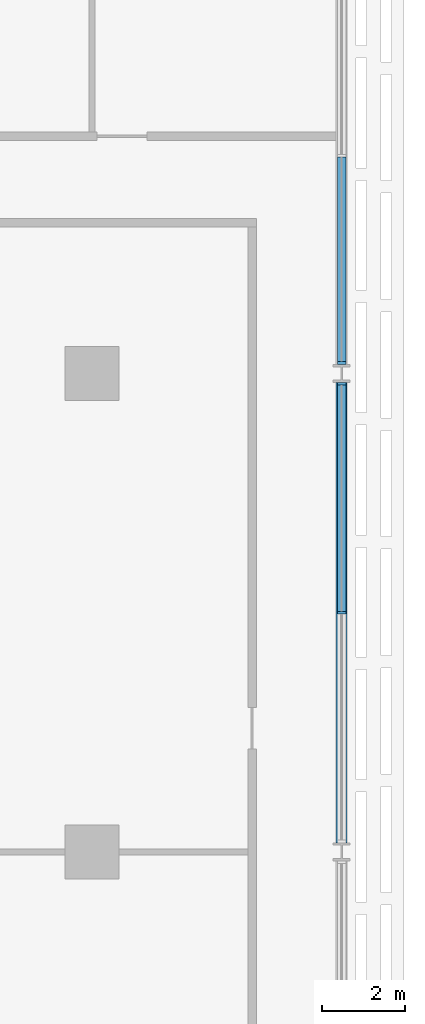
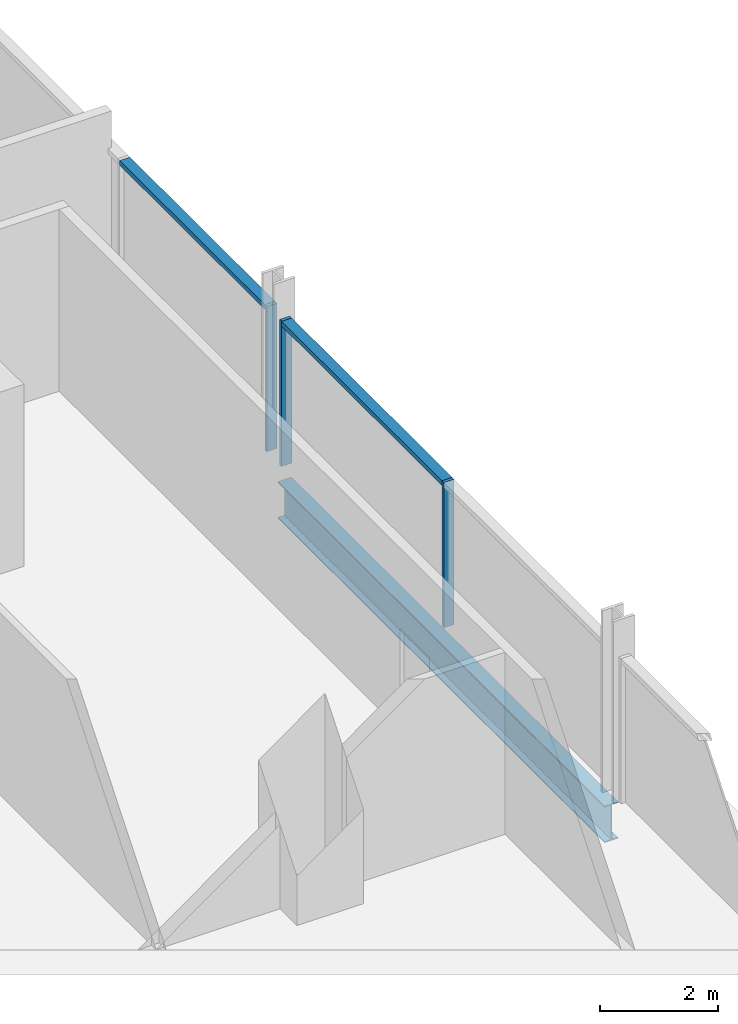
# One storey, part 9 of 29: 5 members, 1 beam, 2 elements without a shape of their own.
"""IFC4 building model written with IfcOpenShell, lengths in metres."""

import ifcopenshell
import ifcopenshell.guid

model = None  # the IFC model being written
_history = None  # IfcOwnerHistory: only IFC2X3 demands one
_inside = {}  # id of a spatial element -> (the spatial element, [elements in it])
_under = {}  # id of a project, library or spatial element -> (it, [spatial elements below it])
_declared = {}  # id of a project -> (the project, [libraries it declares])
_typed = {}  # id of a type object -> (the type object, [elements of that type])
_made_of = {}  # id of a material, layer set ... -> (it, [elements and type objects made of it])


def new_model(schema):
    """Start an empty IFC model of exactly this schema.

    Asked for "IFC4X3", IfcOpenShell would pick the latest addendum, in which some entities
    have other attributes; the version numbers below select the first issue.
    IFC2X3 requires an IfcOwnerHistory on every rooted entity: one is made here for all.
    """
    global model, _history
    if schema == "IFC4X3":
        model = ifcopenshell.file(schema_version=(4, 3, 0, 0))
    else:
        model = ifcopenshell.file(schema=schema)
    _inside.clear()
    _under.clear()
    _declared.clear()
    _typed.clear()
    _made_of.clear()
    _history = None
    if model.schema == "IFC2X3":
        org = make("IfcOrganization", Name="unknown")
        user = make(
            "IfcPersonAndOrganization",
            ThePerson=make("IfcPerson", FamilyName="unknown"),
            TheOrganization=org,
        )
        app = make(
            "IfcApplication",
            ApplicationDeveloper=org,
            Version="unknown",
            ApplicationFullName="unknown",
            ApplicationIdentifier="unknown",
        )
        _history = make(
            "IfcOwnerHistory",
            OwningUser=user,
            OwningApplication=app,
            ChangeAction="ADDED",
            CreationDate=0,
        )
    return model


def make(cls, **values):
    """One entity of the class cls with the attributes given. An attribute that is None is left unset."""
    return model.create_entity(
        cls, **{name: value for name, value in values.items() if value is not None}
    )


def rooted(cls, **values):
    """An entity with a GlobalId (a new one), such as an element, a storey or a relation."""
    return make(cls, GlobalId=ifcopenshell.guid.new(), OwnerHistory=_history, **values)


def si_unit(unit_type, name, prefix=None):
    """IfcSIUnit, for example si_unit("LENGTHUNIT", "METRE", prefix="MILLI")."""
    return make("IfcSIUnit", UnitType=unit_type, Prefix=prefix, Name=name)


def assignment(units):
    """IfcUnitAssignment: the units of a project."""
    return None if units is None else make("IfcUnitAssignment", Units=units)


def point(xyz):
    """IfcCartesianPoint."""
    return None if xyz is None else make("IfcCartesianPoint", Coordinates=xyz)


def direction(xyz):
    """IfcDirection."""
    return None if xyz is None else make("IfcDirection", DirectionRatios=xyz)


def frame(location, z_axis=None, x_axis=None):
    """IfcAxis2Placement3D, a coordinate frame: its origin and axes. An axis left out is left unset."""
    return make(
        "IfcAxis2Placement3D",
        Location=point(location),
        Axis=direction(z_axis),
        RefDirection=direction(x_axis),
    )


def frame_2d(location, x_axis=None):
    """IfcAxis2Placement2D, a coordinate frame in the plane: its origin and x axis."""
    return make(
        "IfcAxis2Placement2D", Location=point(location), RefDirection=direction(x_axis)
    )


def origin():
    """The frame at (0, 0, 0) with its axes left unset."""
    return frame((0.0, 0.0, 0.0))


def origin_2d():
    """The frame at (0, 0) in the plane with its x axis left unset."""
    return frame_2d((0.0, 0.0))


def place(relative_to, where):
    """IfcLocalPlacement: puts the frame where relative to a parent placement (None: the world)."""
    return make(
        "IfcLocalPlacement", PlacementRelTo=relative_to, RelativePlacement=where
    )


def context(
    kind, dimensions, precision=None, world=None, true_north=None, identifier=None
):
    """IfcGeometricRepresentationContext, for example the 3D "Model" context."""
    return make(
        "IfcGeometricRepresentationContext",
        ContextIdentifier=identifier,
        ContextType=kind,
        CoordinateSpaceDimension=dimensions,
        Precision=precision,
        WorldCoordinateSystem=world,
        TrueNorth=true_north,
    )


def subcontext(parent, identifier, kind, view, scale=None):
    """IfcGeometricRepresentationSubContext, for example "Body" below "Model"."""
    return make(
        "IfcGeometricRepresentationSubContext",
        ContextIdentifier=identifier,
        ContextType=kind,
        ParentContext=parent,
        TargetScale=scale,
        TargetView=view,
    )


def project(units=None, contexts=None):
    """IfcProject with its units and contexts."""
    return rooted(
        "IfcProject",
        Name="project",
        RepresentationContexts=contexts,
        UnitsInContext=assignment(units),
    )


def spatial(cls, under=None, at=None, **own):
    """A site, building, storey or space (cls), placed at a placement, below another one or the project."""
    s = rooted(cls, ObjectPlacement=at, **own)
    if under is not None:
        _under.setdefault(under.id(), (under, []))[1].append(s)
    return s


def profile(cls, at=None, kind="AREA", **sizes):
    """A parametric profile (cls). Its sizes go by their IFC names, for example OverallWidth=200.0."""
    return make(cls, ProfileType=kind, Position=at, **sizes)


def rectangle(**sizes):
    """IfcRectangleProfileDef."""
    return profile("IfcRectangleProfileDef", **sizes)


def i_section(**sizes):
    """IfcIShapeProfileDef."""
    return profile("IfcIShapeProfileDef", **sizes)


def extrude(swept, where, along, depth):
    """IfcExtrudedAreaSolid: the profile swept, set in the frame where, extruded along a direction by depth."""
    return make(
        "IfcExtrudedAreaSolid",
        SweptArea=swept,
        Position=where,
        ExtrudedDirection=direction(along),
        Depth=depth,
    )


def shape(context_of_items, identifier, shape_type, items):
    """IfcShapeRepresentation: the items that make up one representation, for example the "Body"."""
    return make(
        "IfcShapeRepresentation",
        ContextOfItems=context_of_items,
        RepresentationIdentifier=identifier,
        RepresentationType=shape_type,
        Items=items,
    )


def material(Name=None, Category=None):
    """IfcMaterial."""
    return make("IfcMaterial", Name=Name, Category=Category)


def material_profile(
    of_material, cross_section, Name=None, Category=None, Priority=None
):
    """IfcMaterialProfile: a cross section and its material."""
    return make(
        "IfcMaterialProfile",
        Name=Name,
        Material=of_material,
        Profile=cross_section,
        Priority=Priority,
        Category=Category,
    )


def profile_set(profiles, Name=None, composite=None):
    """IfcMaterialProfileSet."""
    return make(
        "IfcMaterialProfileSet",
        Name=Name,
        MaterialProfiles=profiles,
        CompositeProfile=composite,
    )


def made_of(thing, what):
    """Note that an element or type object is made of a material, layer set ...; save() writes the relation."""
    if what is not None:
        _made_of.setdefault(what.id(), (what, []))[1].append(thing)
    return thing


def type_object(cls, material=None, **own):
    """A type object (cls), such as IfcWallType, which elements share."""
    return made_of(rooted(cls, **own), material)


def element(
    cls,
    number,
    at=None,
    inside=None,
    cuts=None,
    type_object=None,
    material=None,
    context=None,
    identifier="Body",
    shape_type=None,
    held_by="IfcProductDefinitionShape",
    body=None,
    shapes=None,
    **own,
):
    """One element of the class cls, such as IfcWall. Its Tag is "e" and its number.

    at: its placement. inside: the storey or other place that contains it. cuts: it is an
    opening in that element (IfcRelVoidsElement). A single representation is given by context,
    identifier, shape_type and body (its items); several are given by shapes. held_by: the class
    of the entity that holds the representations. save() writes the other relations.
    """
    e = rooted(cls, Tag="e%d" % number, ObjectPlacement=at, **own)
    if body is not None:
        shapes = [shape(context, identifier, shape_type, body)]
    if shapes is not None:
        e.Representation = make(held_by, Representations=shapes)
    if inside is not None:
        _inside.setdefault(inside.id(), (inside, []))[1].append(e)
    if cuts is not None:
        rooted(
            "IfcRelVoidsElement", RelatingBuildingElement=cuts, RelatedOpeningElement=e
        )
    if type_object is not None:
        _typed.setdefault(type_object.id(), (type_object, []))[1].append(e)
    return made_of(e, material)


def aggregate(whole, parts):
    """IfcRelAggregates: a whole, such as a stair, and the parts it consists of."""
    return rooted("IfcRelAggregates", RelatingObject=whole, RelatedObjects=parts)


def save(model, path):
    """Write the relations noted so far, then the file.

    IfcRelAggregates (storeys below a building ...), IfcRelContainedInSpatialStructure (elements
    in a storey), IfcRelDefinesByType, IfcRelAssociatesMaterial and IfcRelDeclares: one each for
    every whole, place, type object, material and project.
    """
    for whole, parts in _under.values():
        aggregate(whole, parts)
    for where, things in _inside.values():
        rooted(
            "IfcRelContainedInSpatialStructure",
            RelatedElements=things,
            RelatingStructure=where,
        )
    for kind, things in _typed.values():
        rooted("IfcRelDefinesByType", RelatedObjects=things, RelatingType=kind)
    for what, things in _made_of.values():
        rooted("IfcRelAssociatesMaterial", RelatedObjects=things, RelatingMaterial=what)
    for by, libraries in _declared.values():
        rooted("IfcRelDeclares", RelatingContext=by, RelatedDefinitions=libraries)
    model.write(path)


model = new_model("IFC4")

# Units and contexts
model_context = context("Model", 3, precision=1e-05, world=origin(), true_north=direction((0.0, 1.0)))
body_context = subcontext(model_context, "Body", "Model", "MODEL_VIEW")
ifc_project = project(units=[si_unit("LENGTHUNIT", "METRE"), si_unit("AREAUNIT", "SQUARE_METRE"), si_unit("VOLUMEUNIT", "CUBIC_METRE"), si_unit("PLANEANGLEUNIT", "RADIAN"), si_unit("MASSUNIT", "GRAM", prefix="KILO")], contexts=[model_context])

# Site, building, storey
site_placement = place(None, origin())
site = spatial("IfcSite", under=ifc_project, at=site_placement, CompositionType="ELEMENT")
building_placement = place(site_placement, origin())
building = spatial("IfcBuilding", under=site, at=building_placement, Name="Mahtab Terrace Research Tower", CompositionType="ELEMENT")
storey_placement = place(building_placement, frame((0.0, 0.0, 126.10009765625)))
storey = spatial("IfcBuildingStorey", under=building, at=storey_placement, Name="L29", CompositionType="ELEMENT", Elevation=126.10009765625)

# Curtain wall, members
ifc_material_1 = material(Name="Laboratory ribbon curtain wall")
curtain_wall_type = type_object("IfcCurtainWallType", Name="Laboratory ribbon curtain wall", PredefinedType="NOTDEFINED", material=ifc_material_1)
curtain_wall_1_placement = place(storey_placement, origin())
curtain_wall_1 = element("IfcCurtainWall", 1, at=curtain_wall_1_placement, inside=storey, type_object=curtain_wall_type, Name="EN.L29.18.37", PredefinedType="NOTDEFINED")
ifc_material_2 = material(Name="Natural anodised aluminium", Category="aluminium")
ifc_material_profile_1 = material_profile(ifc_material_2, rectangle(XDim=0.199951171875, YDim=0.06494140625, at=origin_2d()), Name="MULLION 65x200")
ifc_profile_set_1 = profile_set([ifc_material_profile_1], Name="Natural anodised aluminium")
member_type_1 = type_object("IfcMemberType", Name="Laboratory ribbon curtain wall mullion", PredefinedType="MULLION", material=ifc_profile_set_1)
member_1_placement = place(storey_placement, frame((48.0, 5.75, 0.0), z_axis=(0.0, 0.0, 1.0), x_axis=(-1.0, 0.0, 0.0)))
member_1 = element("IfcMember", 2, at=member_1_placement, type_object=member_type_1, Name="CWL-4 mullion 2", PredefinedType="MULLION", context=body_context, shape_type="SweptSolid", body=[
    extrude(rectangle(XDim=0.199951171875, YDim=0.06494140625, at=origin_2d()), origin(), (0.0, 0.0, 1.0), 3.0029296875),
])
member_2_placement = place(storey_placement, frame((48.0, 11.24951171875, 0.0), z_axis=(0.0, 0.0, 1.0), x_axis=(-1.0, 0.0, 0.0)))
member_2 = element("IfcMember", 3, at=member_2_placement, type_object=member_type_1, Name="CWL-4 mullion 3", PredefinedType="MULLION", context=body_context, shape_type="SweptSolid", body=[
    extrude(rectangle(XDim=0.199951171875, YDim=0.06494140625, at=origin_2d()), origin(), (0.0, 0.0, 1.0), 3.0029296875),
])

# Curtain wall, member
curtain_wall_2_placement = place(storey_placement, origin())
curtain_wall_2 = element("IfcCurtainWall", 4, at=curtain_wall_2_placement, inside=storey, type_object=curtain_wall_type, Name="EN.L29.18.38", PredefinedType="NOTDEFINED")
member_3_placement = place(storey_placement, frame((48.0, 11.75048828125, 0.0), z_axis=(0.0, 0.0, 1.0), x_axis=(-1.0, 0.0, 0.0)))
member_3 = element("IfcMember", 5, at=member_3_placement, type_object=member_type_1, Name="CWL-4 mullion 1", PredefinedType="MULLION", context=body_context, shape_type="SweptSolid", body=[
    extrude(rectangle(XDim=0.199951171875, YDim=0.06494140625, at=origin_2d()), origin(), (0.0, 0.0, 1.0), 3.0029296875),
])

# Member
ifc_material_profile_2 = material_profile(ifc_material_2, rectangle(XDim=0.199951171875, YDim=0.10009765625, at=origin_2d()), Name="TRANSOM 100x200")
ifc_profile_set_2 = profile_set([ifc_material_profile_2], Name="Natural anodised aluminium")
member_type_2 = type_object("IfcMemberType", Name="Laboratory ribbon curtain wall transom", PredefinedType="USERDEFINED", material=ifc_profile_set_2)
member_4_placement = place(storey_placement, frame((48.0, 5.782470703125, 2.952880859375), z_axis=(0.0, 1.0, 0.0), x_axis=(-1.0, 0.0, 0.0)))
member_4 = element("IfcMember", 6, at=member_4_placement, type_object=member_type_2, Name="CWL-4 transom 2", ObjectType="TRANSOM", PredefinedType="USERDEFINED", context=body_context, shape_type="SweptSolid", body=[
    extrude(rectangle(XDim=0.199951171875, YDim=0.10009765625, at=origin_2d()), origin(), (0.0, 0.0, 1.0), 5.4345703125),
])

aggregate(curtain_wall_1, [member_1, member_2, member_4])

member_5_placement = place(storey_placement, frame((48.0, 11.782958984375, 2.952880859375), z_axis=(0.0, 1.0, 0.0), x_axis=(-1.0, 0.0, 0.0)))
member_5 = element("IfcMember", 7, at=member_5_placement, type_object=member_type_2, Name="CWL-4 transom 1", ObjectType="TRANSOM", PredefinedType="USERDEFINED", context=body_context, shape_type="SweptSolid", body=[
    extrude(rectangle(XDim=0.199951171875, YDim=0.10009765625, at=origin_2d()), origin(), (0.0, 0.0, 1.0), 4.91552734375),
])

aggregate(curtain_wall_2, [member_3, member_5])

# Beam
ifc_material_3 = material(Name="Steel ASTM A992 Gr 50", Category="steel")
ifc_material_profile_3 = material_profile(ifc_material_3, i_section(OverallWidth=0.2666015625, OverallDepth=0.7568359375, WebThickness=0.013916015625, FlangeThickness=0.019287109375, at=origin_2d()), Name="W30X108")
ifc_profile_set_3 = profile_set([ifc_material_profile_3], Name="Steel ASTM A992 Gr 50")
beam_type = type_object("IfcBeamType", Name="W30x108 beam BS30108", PredefinedType="BEAM", material=ifc_profile_set_3)
beam_placement = place(storey_placement, frame((48.0, 0.217041015625, -0.718505859375), z_axis=(0.0, 1.0, 0.0), x_axis=(-1.0, 0.0, 0.0)))
element("IfcBeam", 8, at=beam_placement, inside=storey, type_object=beam_type, Name="Spandrel beam L29 23", PredefinedType="BEAM", context=body_context, shape_type="SweptSolid", body=[
    extrude(i_section(OverallWidth=0.2666015625, OverallDepth=0.7568359375, WebThickness=0.013916015625, FlangeThickness=0.019287109375, at=origin_2d()), origin(), (0.0, 0.0, 1.0), 11.06591796875),
])

save(model, "model.ifc")
